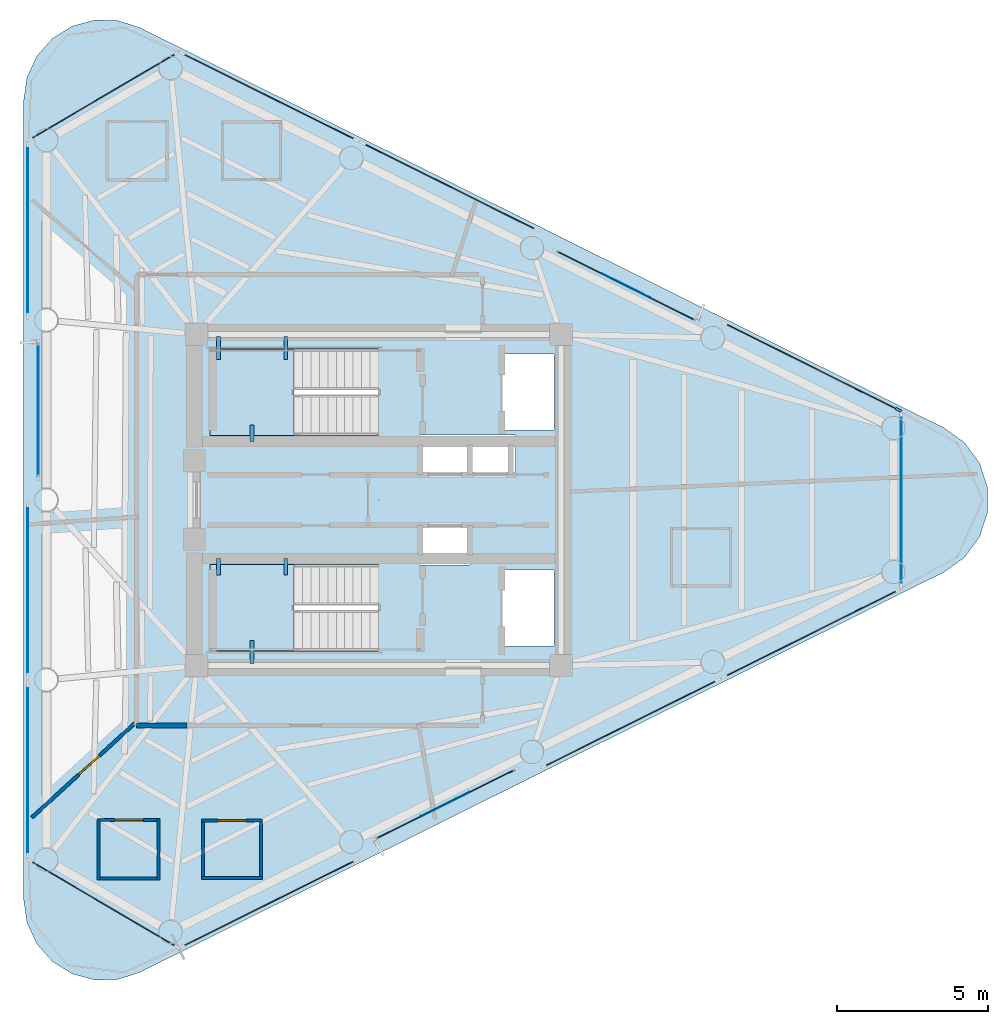
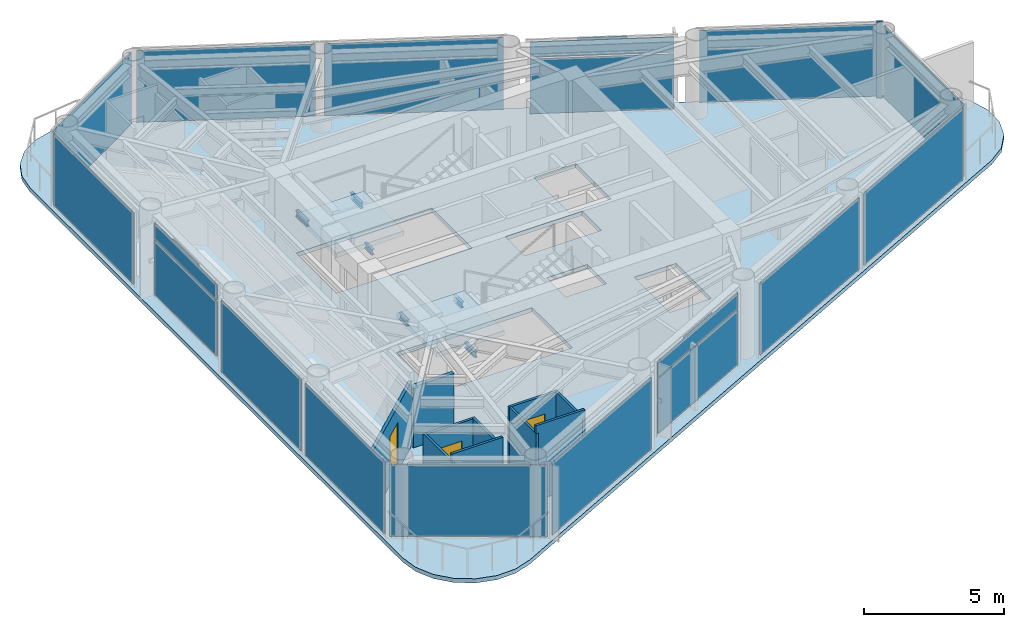
# One storey, part 4 of 10: 21 plates, 10 walls, 6 beams, 3 doors, 3 slabs, 1 member, 3 openings, 17 elements without a shape of their own.
"""IFC4 building model written with IfcOpenShell, lengths in metres."""

import ifcopenshell
import ifcopenshell.guid

model = None  # the IFC model being written
_history = None  # IfcOwnerHistory: only IFC2X3 demands one
_inside = {}  # id of a spatial element -> (the spatial element, [elements in it])
_under = {}  # id of a project, library or spatial element -> (it, [spatial elements below it])
_declared = {}  # id of a project -> (the project, [libraries it declares])
_typed = {}  # id of a type object -> (the type object, [elements of that type])
_made_of = {}  # id of a material, layer set ... -> (it, [elements and type objects made of it])


def new_model(schema):
    """Start an empty IFC model of exactly this schema.

    Asked for "IFC4X3", IfcOpenShell would pick the latest addendum, in which some entities
    have other attributes; the version numbers below select the first issue.
    IFC2X3 requires an IfcOwnerHistory on every rooted entity: one is made here for all.
    """
    global model, _history
    if schema == "IFC4X3":
        model = ifcopenshell.file(schema_version=(4, 3, 0, 0))
    else:
        model = ifcopenshell.file(schema=schema)
    _inside.clear()
    _under.clear()
    _declared.clear()
    _typed.clear()
    _made_of.clear()
    _history = None
    if model.schema == "IFC2X3":
        org = make("IfcOrganization", Name="unknown")
        user = make(
            "IfcPersonAndOrganization",
            ThePerson=make("IfcPerson", FamilyName="unknown"),
            TheOrganization=org,
        )
        app = make(
            "IfcApplication",
            ApplicationDeveloper=org,
            Version="unknown",
            ApplicationFullName="unknown",
            ApplicationIdentifier="unknown",
        )
        _history = make(
            "IfcOwnerHistory",
            OwningUser=user,
            OwningApplication=app,
            ChangeAction="ADDED",
            CreationDate=0,
        )
    return model


def make(cls, **values):
    """One entity of the class cls with the attributes given. An attribute that is None is left unset."""
    return model.create_entity(
        cls, **{name: value for name, value in values.items() if value is not None}
    )


def rooted(cls, **values):
    """An entity with a GlobalId (a new one), such as an element, a storey or a relation."""
    return make(cls, GlobalId=ifcopenshell.guid.new(), OwnerHistory=_history, **values)


def si_unit(unit_type, name, prefix=None):
    """IfcSIUnit, for example si_unit("LENGTHUNIT", "METRE", prefix="MILLI")."""
    return make("IfcSIUnit", UnitType=unit_type, Prefix=prefix, Name=name)


def assignment(units):
    """IfcUnitAssignment: the units of a project."""
    return None if units is None else make("IfcUnitAssignment", Units=units)


def point(xyz):
    """IfcCartesianPoint."""
    return None if xyz is None else make("IfcCartesianPoint", Coordinates=xyz)


def direction(xyz):
    """IfcDirection."""
    return None if xyz is None else make("IfcDirection", DirectionRatios=xyz)


def frame(location, z_axis=None, x_axis=None):
    """IfcAxis2Placement3D, a coordinate frame: its origin and axes. An axis left out is left unset."""
    return make(
        "IfcAxis2Placement3D",
        Location=point(location),
        Axis=direction(z_axis),
        RefDirection=direction(x_axis),
    )


def frame_2d(location, x_axis=None):
    """IfcAxis2Placement2D, a coordinate frame in the plane: its origin and x axis."""
    return make(
        "IfcAxis2Placement2D", Location=point(location), RefDirection=direction(x_axis)
    )


def origin():
    """The frame at (0, 0, 0) with its axes left unset."""
    return frame((0.0, 0.0, 0.0))


def origin_2d():
    """The frame at (0, 0) in the plane with its x axis left unset."""
    return frame_2d((0.0, 0.0))


def place(relative_to, where):
    """IfcLocalPlacement: puts the frame where relative to a parent placement (None: the world)."""
    return make(
        "IfcLocalPlacement", PlacementRelTo=relative_to, RelativePlacement=where
    )


def context(
    kind, dimensions, precision=None, world=None, true_north=None, identifier=None
):
    """IfcGeometricRepresentationContext, for example the 3D "Model" context."""
    return make(
        "IfcGeometricRepresentationContext",
        ContextIdentifier=identifier,
        ContextType=kind,
        CoordinateSpaceDimension=dimensions,
        Precision=precision,
        WorldCoordinateSystem=world,
        TrueNorth=true_north,
    )


def subcontext(parent, identifier, kind, view, scale=None):
    """IfcGeometricRepresentationSubContext, for example "Body" below "Model"."""
    return make(
        "IfcGeometricRepresentationSubContext",
        ContextIdentifier=identifier,
        ContextType=kind,
        ParentContext=parent,
        TargetScale=scale,
        TargetView=view,
    )


def project(units=None, contexts=None):
    """IfcProject with its units and contexts."""
    return rooted(
        "IfcProject",
        Name="project",
        RepresentationContexts=contexts,
        UnitsInContext=assignment(units),
    )


def spatial(cls, under=None, at=None, **own):
    """A site, building, storey or space (cls), placed at a placement, below another one or the project."""
    s = rooted(cls, ObjectPlacement=at, **own)
    if under is not None:
        _under.setdefault(under.id(), (under, []))[1].append(s)
    return s


def polyline(points):
    """IfcPolyline through the points."""
    return make("IfcPolyline", Points=[point(p) for p in points])


def profile(cls, at=None, kind="AREA", **sizes):
    """A parametric profile (cls). Its sizes go by their IFC names, for example OverallWidth=200.0."""
    return make(cls, ProfileType=kind, Position=at, **sizes)


def rectangle(**sizes):
    """IfcRectangleProfileDef."""
    return profile("IfcRectangleProfileDef", **sizes)


def i_section(**sizes):
    """IfcIShapeProfileDef."""
    return profile("IfcIShapeProfileDef", **sizes)


def outline(outer, holes=None, kind="AREA"):
    """IfcArbitraryClosedProfileDef: a profile drawn as a closed curve; with holes, ...WithVoids."""
    if holes is None:
        return make("IfcArbitraryClosedProfileDef", ProfileType=kind, OuterCurve=outer)
    return make(
        "IfcArbitraryProfileDefWithVoids",
        ProfileType=kind,
        OuterCurve=outer,
        InnerCurves=holes,
    )


def extrude(swept, where, along, depth):
    """IfcExtrudedAreaSolid: the profile swept, set in the frame where, extruded along a direction by depth."""
    return make(
        "IfcExtrudedAreaSolid",
        SweptArea=swept,
        Position=where,
        ExtrudedDirection=direction(along),
        Depth=depth,
    )


def shape(context_of_items, identifier, shape_type, items):
    """IfcShapeRepresentation: the items that make up one representation, for example the "Body"."""
    return make(
        "IfcShapeRepresentation",
        ContextOfItems=context_of_items,
        RepresentationIdentifier=identifier,
        RepresentationType=shape_type,
        Items=items,
    )


def source(mapping_origin, context_of_items, identifier, shape_type, items):
    """IfcRepresentationMap: a shape defined once, which mapped items show again and again."""
    return make(
        "IfcRepresentationMap",
        MappingOrigin=mapping_origin,
        MappedRepresentation=shape(context_of_items, identifier, shape_type, items),
    )


def transform(
    local_origin,
    x_axis=None,
    y_axis=None,
    z_axis=None,
    scale=None,
    scale2=None,
    scale3=None,
    uniform=True,
):
    """IfcCartesianTransformationOperator3D, or its non-uniform kind. x_axis, y_axis, z_axis: its Axis1, 2, 3."""
    if uniform:
        return make(
            "IfcCartesianTransformationOperator3D",
            Axis1=direction(x_axis),
            Axis2=direction(y_axis),
            LocalOrigin=point(local_origin),
            Scale=scale,
            Axis3=direction(z_axis),
        )
    return make(
        "IfcCartesianTransformationOperator3DnonUniform",
        Axis1=direction(x_axis),
        Axis2=direction(y_axis),
        LocalOrigin=point(local_origin),
        Scale=scale,
        Axis3=direction(z_axis),
        Scale2=scale2,
        Scale3=scale3,
    )


def mapped(mapping_source, mapping_target):
    """IfcMappedItem: shows the shape of a source again, moved by a transform."""
    return make(
        "IfcMappedItem", MappingSource=mapping_source, MappingTarget=mapping_target
    )


def material(Name=None, Category=None):
    """IfcMaterial."""
    return make("IfcMaterial", Name=Name, Category=Category)


def layer(
    of_material, thickness, ventilated=None, Name=None, Category=None, Priority=None
):
    """IfcMaterialLayer: one layer of a wall or slab, of a material (None: an air gap)."""
    return make(
        "IfcMaterialLayer",
        Material=of_material,
        LayerThickness=thickness,
        IsVentilated=ventilated,
        Name=Name,
        Category=Category,
        Priority=Priority,
    )


def layer_set(layers, Name=None):
    """IfcMaterialLayerSet."""
    return make("IfcMaterialLayerSet", MaterialLayers=layers, LayerSetName=Name)


def material_profile(
    of_material, cross_section, Name=None, Category=None, Priority=None
):
    """IfcMaterialProfile: a cross section and its material."""
    return make(
        "IfcMaterialProfile",
        Name=Name,
        Material=of_material,
        Profile=cross_section,
        Priority=Priority,
        Category=Category,
    )


def profile_set(profiles, Name=None, composite=None):
    """IfcMaterialProfileSet."""
    return make(
        "IfcMaterialProfileSet",
        Name=Name,
        MaterialProfiles=profiles,
        CompositeProfile=composite,
    )


def made_of(thing, what):
    """Note that an element or type object is made of a material, layer set ...; save() writes the relation."""
    if what is not None:
        _made_of.setdefault(what.id(), (what, []))[1].append(thing)
    return thing


def type_object(cls, material=None, **own):
    """A type object (cls), such as IfcWallType, which elements share."""
    return made_of(rooted(cls, **own), material)


def element(
    cls,
    number,
    at=None,
    inside=None,
    cuts=None,
    type_object=None,
    material=None,
    context=None,
    identifier="Body",
    shape_type=None,
    held_by="IfcProductDefinitionShape",
    body=None,
    shapes=None,
    **own,
):
    """One element of the class cls, such as IfcWall. Its Tag is "e" and its number.

    at: its placement. inside: the storey or other place that contains it. cuts: it is an
    opening in that element (IfcRelVoidsElement). A single representation is given by context,
    identifier, shape_type and body (its items); several are given by shapes. held_by: the class
    of the entity that holds the representations. save() writes the other relations.
    """
    e = rooted(cls, Tag="e%d" % number, ObjectPlacement=at, **own)
    if body is not None:
        shapes = [shape(context, identifier, shape_type, body)]
    if shapes is not None:
        e.Representation = make(held_by, Representations=shapes)
    if inside is not None:
        _inside.setdefault(inside.id(), (inside, []))[1].append(e)
    if cuts is not None:
        rooted(
            "IfcRelVoidsElement", RelatingBuildingElement=cuts, RelatedOpeningElement=e
        )
    if type_object is not None:
        _typed.setdefault(type_object.id(), (type_object, []))[1].append(e)
    return made_of(e, material)


def fill(opening, filler):
    """IfcRelFillsElement: the door or window that sits in an opening."""
    return rooted(
        "IfcRelFillsElement",
        RelatingOpeningElement=opening,
        RelatedBuildingElement=filler,
    )


def aggregate(whole, parts):
    """IfcRelAggregates: a whole, such as a stair, and the parts it consists of."""
    return rooted("IfcRelAggregates", RelatingObject=whole, RelatedObjects=parts)


def save(model, path):
    """Write the relations noted so far, then the file.

    IfcRelAggregates (storeys below a building ...), IfcRelContainedInSpatialStructure (elements
    in a storey), IfcRelDefinesByType, IfcRelAssociatesMaterial and IfcRelDeclares: one each for
    every whole, place, type object, material and project.
    """
    for whole, parts in _under.values():
        aggregate(whole, parts)
    for where, things in _inside.values():
        rooted(
            "IfcRelContainedInSpatialStructure",
            RelatedElements=things,
            RelatingStructure=where,
        )
    for kind, things in _typed.values():
        rooted("IfcRelDefinesByType", RelatedObjects=things, RelatingType=kind)
    for what, things in _made_of.values():
        rooted("IfcRelAssociatesMaterial", RelatedObjects=things, RelatingMaterial=what)
    for by, libraries in _declared.values():
        rooted("IfcRelDeclares", RelatingContext=by, RelatedDefinitions=libraries)
    model.write(path)


model = new_model("IFC4")

# Units and contexts
model_context = context("Model", 3, precision=1e-05, world=origin(), true_north=direction((0.0, 1.0)))
body_context = subcontext(model_context, "Body", "Model", "MODEL_VIEW")
ifc_project = project(units=[si_unit("LENGTHUNIT", "METRE"), si_unit("AREAUNIT", "SQUARE_METRE"), si_unit("VOLUMEUNIT", "CUBIC_METRE"), si_unit("PLANEANGLEUNIT", "RADIAN"), si_unit("MASSUNIT", "GRAM", prefix="KILO")], contexts=[model_context])

# Site, building, storey
site_placement = place(None, origin())
site = spatial("IfcSite", under=ifc_project, at=site_placement, CompositionType="ELEMENT")
building_placement = place(site_placement, origin())
building = spatial("IfcBuilding", under=site, at=building_placement, Name="Yunling Apex Tower", CompositionType="ELEMENT")
storey_placement = place(building_placement, frame((0.0, 0.0, 300.199951171875)))
storey = spatial("IfcBuildingStorey", under=building, at=storey_placement, Name="L73", CompositionType="ELEMENT", Elevation=300.199951171875)

# Beams
ifc_material_1 = material(Name="Steel Q355B", Category="steel")
ifc_material_profile_1 = material_profile(ifc_material_1, i_section(OverallWidth=0.125, OverallDepth=0.25, WebThickness=0.006103515625, FlangeThickness=0.009033203125, FilletRadius=0.011962890625, at=origin_2d()))
ifc_profile_set_1 = profile_set([ifc_material_profile_1], Name="Steel Q355B")
beam_type = type_object("IfcBeamType", Name="BL-LNT-1", PredefinedType="LINTEL", material=ifc_profile_set_1)
shared_shape_1 = source(origin(), body_context, "Body", "SweptSolid", [
    extrude(i_section(OverallWidth=0.125, OverallDepth=0.25, WebThickness=0.006103515625, FlangeThickness=0.009033203125, FilletRadius=0.011962890625, at=origin_2d()), origin(), (0.0, 0.0, 1.0), 0.760009765625),
])
for number, where, z_axis, x_axis, name in (
    (1, (-5.320068359375, 5.419921875, 1.405029296875), (0.0, -1.0, 0.0), (1.0, 0.0, 0.0), "L73 ST-1 Landing Bearing Corbel 1-1"),
    (2, (-3.090087890625, 5.419921875, 1.405029296875), (0.0, -1.0, 0.0), (1.0, 0.0, 0.0), "L73 ST-1 Landing Bearing Corbel 1-2"),
    (3, (-4.205078125, -5.419921875, 1.405029296875), (0.0, 1.0, 0.0), (-1.0, 0.0, 0.0), "L73 ST-2 Landing Bearing Corbel 1-3"),
):
    element("IfcBeam", number, at=place(storey_placement, frame(where, z_axis=z_axis, x_axis=x_axis)), inside=storey, type_object=beam_type, Name=name, PredefinedType="LINTEL", context=body_context, shape_type="MappedRepresentation", body=[
        mapped(shared_shape_1, transform((0.0, 0.0, 0.0), scale=1.0)),
    ])
shared_shape_2 = source(origin(), body_context, "Body", "SweptSolid", [
    extrude(i_section(OverallWidth=0.125, OverallDepth=0.25, WebThickness=0.006103515625, FlangeThickness=0.009033203125, FilletRadius=0.011962890625, at=origin_2d()), origin(), (0.0, 0.0, 1.0), 0.550048828125),
])
for number, where, z_axis, x_axis, name in (
    (4, (-4.205078125, 1.93994140625, 1.405029296875), (0.0, 1.0, 0.0), (-1.0, 0.0, 0.0), "L73 ST-1 Landing Bearing Corbel 1-3"),
    (5, (-5.320068359375, -1.93994140625, 1.405029296875), (0.0, -1.0, 0.0), (1.0, 0.0, 0.0), "L73 ST-2 Landing Bearing Corbel 1-1"),
    (6, (-3.090087890625, -1.93994140625, 1.405029296875), (0.0, -1.0, 0.0), (1.0, 0.0, 0.0), "L73 ST-2 Landing Bearing Corbel 1-2"),
):
    element("IfcBeam", number, at=place(storey_placement, frame(where, z_axis=z_axis, x_axis=x_axis)), inside=storey, type_object=beam_type, Name=name, PredefinedType="LINTEL", context=body_context, shape_type="MappedRepresentation", body=[
        mapped(shared_shape_2, transform((0.0, 0.0, 0.0), scale=1.0)),
    ])

# Curtain wall, member
ifc_material_2 = material(Name="Bronze anodised aluminium", Category="aluminium")
ifc_layer_1 = layer(ifc_material_2, 0.219970703125)
ifc_layer_set_1 = layer_set([ifc_layer_1], Name="Bronze anodised aluminium")
curtain_wall_type = type_object("IfcCurtainWallType", Name="CW-SYS-4", PredefinedType="NOTDEFINED", material=ifc_layer_set_1)
curtain_wall_1_placement = place(storey_placement, origin())
curtain_wall_1 = element("IfcCurtainWall", 7, at=curtain_wall_1_placement, inside=storey, type_object=curtain_wall_type, Name="CW-L73-F2-B1", PredefinedType="NOTDEFINED")
ifc_material_profile_2 = material_profile(ifc_material_2, rectangle(XDim=0.080078125, YDim=0.219970703125, at=origin_2d()))
ifc_profile_set_2 = profile_set([ifc_material_profile_2], Name="Bronze anodised aluminium")
member_type = type_object("IfcMemberType", Name="CW-MUL-4", PredefinedType="MULLION", material=ifc_profile_set_2)
shared_shape_3 = source(origin(), body_context, "Body", "SweptSolid", [
    extrude(rectangle(XDim=0.080078125, YDim=0.219970703125, at=origin_2d()), origin(), (0.0, 0.0, 1.0), 3.3701171875),
])
member_placement = place(storey_placement, frame((17.2509765625, 2.990966796875, -0.050048828125), z_axis=(0.0, 0.0, 1.0), x_axis=(-0.445568135078, -0.895248030996, 0.0)))
member = element("IfcMember", 8, at=member_placement, type_object=member_type, Name="CW-SYS-4 mullion 1", PredefinedType="MULLION", context=body_context, shape_type="MappedRepresentation", body=[
    mapped(shared_shape_3, transform((0.0, 0.0, 0.0), scale=1.0)),
])

# Slab
ifc_material_3 = material(Name="Concrete C40", Category="concrete")
ifc_layer_2 = layer(ifc_material_3, 0.155029296875)
ifc_layer_set_2 = layer_set([ifc_layer_2], Name="Concrete C40")
slab_type_1 = type_object("IfcSlabType", Name="SL-FLR-3", PredefinedType="FLOOR", material=ifc_layer_set_2)
slab_1_placement = place(storey_placement, frame((0.0, 0.0, -0.179931640625)))
element("IfcSlab", 9, at=slab_1_placement, inside=storey, type_object=slab_type_1, Name="L73 Composite Tower Floor Slab", PredefinedType="FLOOR", context=body_context, shape_type="SweptSolid", body=[
    extrude(outline(polyline([(-11.787353515625, -13.2724609375), (-11.675048828125, -14.039794921875), (-11.347900390625, -14.742919921875), (-10.833251953125, -15.322998046875), (-10.173828125, -15.731201171875), (-9.42529296875, -15.93359375), (-8.650146484375, -15.913330078125), (-7.9130859375, -15.671875), (18.754150390625, -2.3994140625), (19.442138671875, -1.90771484375), (19.94287109375, -1.226318359375), (20.206298828125, -0.4228515625), (20.206298828125, 0.4228515625), (19.94287109375, 1.226318359375), (19.442138671875, 1.90771484375), (18.754150390625, 2.3994140625), (-7.9130859375, 15.671875), (-8.650146484375, 15.913330078125), (-9.42529296875, 15.93359375), (-10.173828125, 15.731201171875), (-10.833251953125, 15.322998046875), (-11.347900390625, 14.742919921875), (-11.675048828125, 14.039794921875), (-11.787353515625, 13.2724609375), (-11.787353515625, -13.2724609375)]), holes=[polyline([(4.090087890625, 4.840087890625), (5.81005859375, 4.840087890625), (5.81005859375, 2.320068359375), (4.090087890625, 2.320068359375), (4.090087890625, 4.840087890625)]), polyline([(4.090087890625, -4.840087890625), (4.090087890625, -2.320068359375), (5.81005859375, -2.320068359375), (5.81005859375, -4.840087890625), (4.090087890625, -4.840087890625)]), polyline([(4.534912109375, 0.794921875), (1.364990234375, 0.794921875), (1.364990234375, 2.1650390625), (4.534912109375, 2.1650390625), (4.534912109375, 0.794921875)]), polyline([(1.364990234375, -0.794921875), (3.034912109375, -0.794921875), (3.034912109375, -2.1650390625), (1.364990234375, -2.1650390625), (1.364990234375, -0.794921875)]), polyline([(-0.010009765625, -5.010009765625), (-5.60009765625, -5.010009765625), (-5.60009765625, -2.139892578125), (-0.010009765625, -2.139892578125), (-0.010009765625, -5.010009765625)]), polyline([(-0.010009765625, 2.139892578125), (-5.60009765625, 2.139892578125), (-5.60009765625, 5.010009765625), (-0.010009765625, 5.010009765625), (-0.010009765625, 2.139892578125)])]), origin(), (0.0, 0.0, 1.0), 0.179931640625),
])

# Stair, slab
stair_type = type_object("IfcStairType", Name="ST-TWR-3", PredefinedType="HALF_TURN_STAIR", material=ifc_material_3)
stair_1_placement = place(storey_placement, origin())
stair_1 = element("IfcStair", 10, at=stair_1_placement, inside=storey, type_object=stair_type, Name="L73 North Core Smokeproof Exit Stair ST-1", PredefinedType="HALF_TURN_STAIR")
ifc_layer_3 = layer(ifc_material_3, 0.195068359375)
ifc_layer_set_3 = layer_set([ifc_layer_3], Name="Concrete C40")
slab_type_2 = type_object("IfcSlabType", Name="SL-LND-1", PredefinedType="LANDING", material=ifc_layer_set_3)
slab_2_placement = place(storey_placement, frame((0.0, 0.0, 1.530029296875)))
slab_2 = element("IfcSlab", 11, at=slab_2_placement, type_object=slab_type_2, Name="ST-1 landing 1", PredefinedType="LANDING", context=body_context, shape_type="SweptSolid", body=[
    extrude(outline(polyline([(-2.81005859375, 5.010009765625), (-5.60009765625, 5.010009765625), (-5.60009765625, 2.139892578125), (-2.81005859375, 2.139892578125), (-2.81005859375, 5.010009765625)])), origin(), (0.0, 0.0, 1.0), 0.195068359375),
])
aggregate(stair_1, [slab_2])

stair_2_placement = place(storey_placement, origin())
stair_2 = element("IfcStair", 12, at=stair_2_placement, inside=storey, type_object=stair_type, Name="L73 South Core Smokeproof Exit Stair ST-2", PredefinedType="HALF_TURN_STAIR")
slab_3_placement = place(storey_placement, frame((0.0, 0.0, 1.530029296875)))
slab_3 = element("IfcSlab", 13, at=slab_3_placement, type_object=slab_type_2, Name="ST-2 landing 1", PredefinedType="LANDING", context=body_context, shape_type="SweptSolid", body=[
    extrude(outline(polyline([(-2.81005859375, -2.139892578125), (-5.60009765625, -2.139892578125), (-5.60009765625, -5.010009765625), (-2.81005859375, -5.010009765625), (-2.81005859375, -2.139892578125)])), origin(), (0.0, 0.0, 1.0), 0.195068359375),
])
aggregate(stair_2, [slab_3])

# Plates
ifc_layer_4 = layer(ifc_material_2, 0.011962890625)
ifc_layer_set_4 = layer_set([ifc_layer_4], Name="Bronze anodised aluminium")
plate_type_1 = type_object("IfcPlateType", Name="SP-SHT-1", PredefinedType="SHEET", material=ifc_layer_set_4)
shared_shape_4 = source(origin(), body_context, "Body", "SweptSolid", [
    extrude(rectangle(XDim=1.800048828125, YDim=0.02392578125, at=origin_2d()), origin(), (0.0, 0.0, 1.0), 0.43994140625),
])
for number, where, z_axis, x_axis, name in (
    (14, (2.20654296875, -10.09912109375, 2.8701171875), (0.0, 0.0, 1.0), (0.895245648325, 0.445572922377, 0.0), "SP-GRV-L73-F1"),
    (15, (8.206787109375, 7.11279296875, 2.8701171875), (0.0, 0.0, 1.0), (-0.895245648325, 0.445572922377, 0.0), "SP-GRV-L73-F2"),
    (16, (-11.307373046875, 2.986328125, 2.8701171875), (0.0, 0.0, 1.0), (0.0, -1.0, 0.0), "SP-GRV-L73-F3"),
):
    element("IfcPlate", number, at=place(storey_placement, frame(where, z_axis=z_axis, x_axis=x_axis)), inside=storey, type_object=plate_type_1, Name=name, PredefinedType="SHEET", context=body_context, shape_type="MappedRepresentation", body=[
        mapped(shared_shape_4, transform((0.0, 0.0, 0.0), scale=1.0)),
    ])

# Curtain wall, plate
curtain_wall_2_placement = place(storey_placement, origin())
curtain_wall_2 = element("IfcCurtainWall", 17, at=curtain_wall_2_placement, inside=storey, type_object=curtain_wall_type, Name="CW-L73-F1-B1", PredefinedType="NOTDEFINED")
ifc_material_4 = material(Name="Bronze tinted low-E glass", Category="glass")
ifc_layer_5 = layer(ifc_material_4, 0.030029296875)
ifc_layer_set_5 = layer_set([ifc_layer_5], Name="Bronze tinted low-E glass")
plate_type_2 = type_object("IfcPlateType", Name="CW-PNL-4", PredefinedType="CURTAIN_PANEL", material=ifc_layer_set_5)
shared_shape_5 = source(origin(), body_context, "Body", "SweptSolid", [
    extrude(rectangle(XDim=6.398193359375, YDim=0.030029296875, at=origin_2d()), origin(), (0.0, 0.0, 1.0), 3.1259765625),
])
plate_1_placement = place(storey_placement, frame((-3.64208984375, -13.3896484375, 0.072021484375), z_axis=(0.0, 0.0, 1.0), x_axis=(0.895248030996, 0.445568135078, 0.0)))
plate_1 = element("IfcPlate", 18, at=plate_1_placement, type_object=plate_type_2, Name="CW-SYS-4 panel 1.1", PredefinedType="CURTAIN_PANEL", context=body_context, shape_type="MappedRepresentation", body=[
    mapped(shared_shape_5, transform((0.0, 0.0, 0.0), scale=1.0)),
])
aggregate(curtain_wall_2, [plate_1])

curtain_wall_3_placement = place(storey_placement, origin())
curtain_wall_3 = element("IfcCurtainWall", 19, at=curtain_wall_3_placement, inside=storey, type_object=curtain_wall_type, Name="CW-L73-F1-B3", PredefinedType="NOTDEFINED")
plate_2_placement = place(storey_placement, frame((8.358154296875, -7.4169921875, 0.072021484375), z_axis=(0.0, 0.0, 1.0), x_axis=(0.895241933715, 0.445580385698, 0.0)))
plate_2 = element("IfcPlate", 20, at=plate_2_placement, type_object=plate_type_2, Name="CW-SYS-4 panel 1.1", PredefinedType="CURTAIN_PANEL", context=body_context, shape_type="MappedRepresentation", body=[
    mapped(shared_shape_5, transform((0.0, 0.0, 0.0), scale=1.0)),
])
aggregate(curtain_wall_3, [plate_2])

curtain_wall_4_placement = place(storey_placement, origin())
curtain_wall_4 = element("IfcCurtainWall", 21, at=curtain_wall_4_placement, inside=storey, type_object=curtain_wall_type, Name="CW-L73-F1-B4", PredefinedType="NOTDEFINED")
plate_3_placement = place(storey_placement, frame((14.358154296875, -4.4306640625, 0.072021484375), z_axis=(0.0, 0.0, 1.0), x_axis=(0.895248030996, 0.445568135078, 0.0)))
plate_3 = element("IfcPlate", 22, at=plate_3_placement, type_object=plate_type_2, Name="CW-SYS-4 panel 1.1", PredefinedType="CURTAIN_PANEL", context=body_context, shape_type="MappedRepresentation", body=[
    mapped(shared_shape_5, transform((0.0, 0.0, 0.0), scale=1.0)),
])
aggregate(curtain_wall_4, [plate_3])

# Plate
plate_4_placement = place(storey_placement, frame((14.358154296875, 4.4306640625, 0.072021484375), z_axis=(0.0, 0.0, 1.0), x_axis=(-0.895248030996, 0.445568135078, 0.0)))
plate_4 = element("IfcPlate", 23, at=plate_4_placement, type_object=plate_type_2, Name="CW-SYS-4 panel 1.1", PredefinedType="CURTAIN_PANEL", context=body_context, shape_type="MappedRepresentation", body=[
    mapped(shared_shape_5, transform((0.0, 0.0, 0.0), scale=1.0)),
])

aggregate(curtain_wall_1, [member, plate_4])

# Curtain wall, plate
curtain_wall_5_placement = place(storey_placement, origin())
curtain_wall_5 = element("IfcCurtainWall", 24, at=curtain_wall_5_placement, inside=storey, type_object=curtain_wall_type, Name="CW-L73-F2-B3", PredefinedType="NOTDEFINED")
plate_5_placement = place(storey_placement, frame((2.35791015625, 10.4033203125, 0.072021484375), z_axis=(0.0, 0.0, 1.0), x_axis=(-0.895251065549, 0.445562037917, 0.0)))
plate_5 = element("IfcPlate", 25, at=plate_5_placement, type_object=plate_type_2, Name="CW-SYS-4 panel 1.1", PredefinedType="CURTAIN_PANEL", context=body_context, shape_type="MappedRepresentation", body=[
    mapped(shared_shape_5, transform((0.0, 0.0, 0.0), scale=1.0)),
])
aggregate(curtain_wall_5, [plate_5])

curtain_wall_6_placement = place(storey_placement, origin())
curtain_wall_6 = element("IfcCurtainWall", 26, at=curtain_wall_6_placement, inside=storey, type_object=curtain_wall_type, Name="CW-L73-F2-B4", PredefinedType="NOTDEFINED")
plate_6_placement = place(storey_placement, frame((-3.64208984375, 13.3896484375, 0.072021484375), z_axis=(0.0, 0.0, 1.0), x_axis=(-0.895248030996, 0.445568135078, 0.0)))
plate_6 = element("IfcPlate", 27, at=plate_6_placement, type_object=plate_type_2, Name="CW-SYS-4 panel 1.1", PredefinedType="CURTAIN_PANEL", context=body_context, shape_type="MappedRepresentation", body=[
    mapped(shared_shape_5, transform((0.0, 0.0, 0.0), scale=1.0)),
])
aggregate(curtain_wall_6, [plate_6])

curtain_wall_7_placement = place(storey_placement, origin())
curtain_wall_7 = element("IfcCurtainWall", 28, at=curtain_wall_7_placement, inside=storey, type_object=curtain_wall_type, Name="CW-L73-F1-B2", PredefinedType="NOTDEFINED")
shared_shape_6 = source(origin(), body_context, "Body", "SweptSolid", [
    extrude(rectangle(XDim=5.158203125, YDim=0.030029296875, at=origin_2d()), origin(), (0.0, 0.0, 1.0), 2.381103515625),
])
plate_7_placement = place(storey_placement, frame((2.20654296875, -10.09912109375, 0.072265625), z_axis=(0.0, 0.0, 1.0), x_axis=(0.895251720611, 0.445560721723, 0.0)))
plate_7 = element("IfcPlate", 29, at=plate_7_placement, type_object=plate_type_2, Name="CW-SYS-4 panel 1.1", PredefinedType="CURTAIN_PANEL", context=body_context, shape_type="MappedRepresentation", body=[
    mapped(shared_shape_6, transform((0.0, 0.0, 0.0), scale=1.0)),
])

curtain_wall_8_placement = place(storey_placement, origin())
curtain_wall_8 = element("IfcCurtainWall", 30, at=curtain_wall_8_placement, inside=storey, type_object=curtain_wall_type, Name="CW-L73-F2-B2", PredefinedType="NOTDEFINED")
plate_8_placement = place(storey_placement, frame((8.206787109375, 7.11279296875, 0.072265625), z_axis=(0.0, 0.0, 1.0), x_axis=(-0.895240453185, 0.445583360305, 0.0)))
plate_8 = element("IfcPlate", 31, at=plate_8_placement, type_object=plate_type_2, Name="CW-SYS-4 panel 1.1", PredefinedType="CURTAIN_PANEL", context=body_context, shape_type="MappedRepresentation", body=[
    mapped(shared_shape_6, transform((0.0, 0.0, 0.0), scale=1.0)),
])

# Plate
shared_shape_7 = source(origin(), body_context, "Body", "SweptSolid", [
    extrude(rectangle(XDim=5.158203125, YDim=0.030029296875, at=origin_2d()), origin(), (0.0, 0.0, 1.0), 0.680908203125),
])
plate_9_placement = place(storey_placement, frame((2.20654296875, -10.09912109375, 2.51708984375), z_axis=(0.0, 0.0, 1.0), x_axis=(0.895251720611, 0.445560721723, 0.0)))
plate_9 = element("IfcPlate", 32, at=plate_9_placement, type_object=plate_type_2, Name="CW-SYS-4 panel 1.2", PredefinedType="CURTAIN_PANEL", context=body_context, shape_type="MappedRepresentation", body=[
    mapped(shared_shape_7, transform((0.0, 0.0, 0.0), scale=1.0)),
])

aggregate(curtain_wall_7, [plate_7, plate_9])

plate_10_placement = place(storey_placement, frame((8.206787109375, 7.11279296875, 2.51708984375), z_axis=(0.0, 0.0, 1.0), x_axis=(-0.895240453185, 0.445583360305, 0.0)))
plate_10 = element("IfcPlate", 33, at=plate_10_placement, type_object=plate_type_2, Name="CW-SYS-4 panel 1.2", PredefinedType="CURTAIN_PANEL", context=body_context, shape_type="MappedRepresentation", body=[
    mapped(shared_shape_7, transform((0.0, 0.0, 0.0), scale=1.0)),
])

aggregate(curtain_wall_8, [plate_8, plate_10])

# Curtain wall, plate
curtain_wall_9_placement = place(storey_placement, origin())
curtain_wall_9 = element("IfcCurtainWall", 34, at=curtain_wall_9_placement, inside=storey, type_object=curtain_wall_type, Name="CW-L73-CRN1", PredefinedType="NOTDEFINED")
shared_shape_8 = source(origin(), body_context, "Body", "SweptSolid", [
    extrude(rectangle(XDim=5.6953125, YDim=0.030029296875, at=origin_2d()), origin(), (0.0, 0.0, 1.0), 3.1259765625),
])
plate_11_placement = place(storey_placement, frame((17.349365234375, 0.0, 0.072021484375), z_axis=(0.0, 0.0, 1.0), x_axis=(0.0, 1.0, 0.0)))
plate_11 = element("IfcPlate", 35, at=plate_11_placement, type_object=plate_type_2, Name="CW-SYS-4 panel 1.1", PredefinedType="CURTAIN_PANEL", context=body_context, shape_type="MappedRepresentation", body=[
    mapped(shared_shape_8, transform((0.0, 0.0, 0.0), scale=1.0)),
])
aggregate(curtain_wall_9, [plate_11])

curtain_wall_10_placement = place(storey_placement, origin())
curtain_wall_10 = element("IfcCurtainWall", 36, at=curtain_wall_10_placement, inside=storey, type_object=curtain_wall_type, Name="CW-L73-CRN2", PredefinedType="NOTDEFINED")
shared_shape_9 = source(origin(), body_context, "Body", "SweptSolid", [
    extrude(rectangle(XDim=5.62548828125, YDim=0.030029296875, at=origin_2d()), origin(), (0.0, 0.0, 1.0), 3.1259765625),
])
plate_12_placement = place(storey_placement, frame((-9.13916015625, 13.405029296875, 0.072021484375), z_axis=(0.0, 0.0, 1.0), x_axis=(-0.862499991399, -0.506057076658, 0.0)))
plate_12 = element("IfcPlate", 37, at=plate_12_placement, type_object=plate_type_2, Name="CW-SYS-4 panel 1.1", PredefinedType="CURTAIN_PANEL", context=body_context, shape_type="MappedRepresentation", body=[
    mapped(shared_shape_9, transform((0.0, 0.0, 0.0), scale=1.0)),
])
aggregate(curtain_wall_10, [plate_12])

curtain_wall_11_placement = place(storey_placement, origin())
curtain_wall_11 = element("IfcCurtainWall", 38, at=curtain_wall_11_placement, inside=storey, type_object=curtain_wall_type, Name="CW-L73-CRN3", PredefinedType="NOTDEFINED")
plate_13_placement = place(storey_placement, frame((-9.13916015625, -13.405029296875, 0.072021484375), z_axis=(0.0, 0.0, 1.0), x_axis=(0.862492426173, -0.506069970256, 0.0)))
plate_13 = element("IfcPlate", 39, at=plate_13_placement, type_object=plate_type_2, Name="CW-SYS-4 panel 1.1", PredefinedType="CURTAIN_PANEL", context=body_context, shape_type="MappedRepresentation", body=[
    mapped(shared_shape_9, transform((0.0, 0.0, 0.0), scale=1.0)),
])
aggregate(curtain_wall_11, [plate_13])

curtain_wall_12_placement = place(storey_placement, origin())
curtain_wall_12 = element("IfcCurtainWall", 40, at=curtain_wall_12_placement, inside=storey, type_object=curtain_wall_type, Name="CW-L73-F3-B1", PredefinedType="NOTDEFINED")
shared_shape_10 = source(origin(), body_context, "Body", "SweptSolid", [
    extrude(rectangle(XDim=5.668701171875, YDim=0.030029296875, at=origin_2d()), origin(), (0.0, 0.0, 1.0), 3.1259765625),
])
plate_14_placement = place(storey_placement, frame((-11.647216796875, 8.958984375, 0.072021484375), z_axis=(0.0, 0.0, 1.0), x_axis=(0.0, -1.0, 0.0)))
plate_14 = element("IfcPlate", 41, at=plate_14_placement, type_object=plate_type_2, Name="CW-SYS-4 panel 1.1", PredefinedType="CURTAIN_PANEL", context=body_context, shape_type="MappedRepresentation", body=[
    mapped(shared_shape_10, transform((0.0, 0.0, 0.0), scale=1.0)),
])
aggregate(curtain_wall_12, [plate_14])

curtain_wall_13_placement = place(storey_placement, origin())
curtain_wall_13 = element("IfcCurtainWall", 42, at=curtain_wall_13_placement, inside=storey, type_object=curtain_wall_type, Name="CW-L73-F3-B3", PredefinedType="NOTDEFINED")
plate_15_placement = place(storey_placement, frame((-11.647216796875, -2.986328125, 0.072021484375), z_axis=(0.0, 0.0, 1.0), x_axis=(0.0, -1.0, 0.0)))
plate_15 = element("IfcPlate", 43, at=plate_15_placement, type_object=plate_type_2, Name="CW-SYS-4 panel 1.1", PredefinedType="CURTAIN_PANEL", context=body_context, shape_type="MappedRepresentation", body=[
    mapped(shared_shape_10, transform((0.0, 0.0, 0.0), scale=1.0)),
])
aggregate(curtain_wall_13, [plate_15])

curtain_wall_14_placement = place(storey_placement, origin())
curtain_wall_14 = element("IfcCurtainWall", 44, at=curtain_wall_14_placement, inside=storey, type_object=curtain_wall_type, Name="CW-L73-F3-B4", PredefinedType="NOTDEFINED")
plate_16_placement = place(storey_placement, frame((-11.647216796875, -8.958984375, 0.072021484375), z_axis=(0.0, 0.0, 1.0), x_axis=(0.0, -1.0, 0.0)))
plate_16 = element("IfcPlate", 45, at=plate_16_placement, type_object=plate_type_2, Name="CW-SYS-4 panel 1.1", PredefinedType="CURTAIN_PANEL", context=body_context, shape_type="MappedRepresentation", body=[
    mapped(shared_shape_10, transform((0.0, 0.0, 0.0), scale=1.0)),
])
aggregate(curtain_wall_14, [plate_16])

# Curtain wall, plates
curtain_wall_15_placement = place(storey_placement, origin())
curtain_wall_15 = element("IfcCurtainWall", 46, at=curtain_wall_15_placement, inside=storey, type_object=curtain_wall_type, Name="CW-L73-F3-B2", PredefinedType="NOTDEFINED")
shared_shape_11 = source(origin(), body_context, "Body", "SweptSolid", [
    extrude(rectangle(XDim=4.4287109375, YDim=0.030029296875, at=origin_2d()), origin(), (0.0, 0.0, 1.0), 2.381103515625),
])
plate_17_placement = place(storey_placement, frame((-11.307373046875, 2.986328125, 0.072265625), z_axis=(0.0, 0.0, 1.0), x_axis=(0.0, -1.0, 0.0)))
plate_17 = element("IfcPlate", 47, at=plate_17_placement, type_object=plate_type_2, Name="CW-SYS-4 panel 1.1", PredefinedType="CURTAIN_PANEL", context=body_context, shape_type="MappedRepresentation", body=[
    mapped(shared_shape_11, transform((0.0, 0.0, 0.0), scale=1.0)),
])
shared_shape_12 = source(origin(), body_context, "Body", "SweptSolid", [
    extrude(rectangle(XDim=4.4287109375, YDim=0.030029296875, at=origin_2d()), origin(), (0.0, 0.0, 1.0), 0.680908203125),
])
plate_18_placement = place(storey_placement, frame((-11.307373046875, 2.986328125, 2.51708984375), z_axis=(0.0, 0.0, 1.0), x_axis=(0.0, -1.0, 0.0)))
plate_18 = element("IfcPlate", 48, at=plate_18_placement, type_object=plate_type_2, Name="CW-SYS-4 panel 1.2", PredefinedType="CURTAIN_PANEL", context=body_context, shape_type="MappedRepresentation", body=[
    mapped(shared_shape_12, transform((0.0, 0.0, 0.0), scale=1.0)),
])
aggregate(curtain_wall_15, [plate_17, plate_18])

# Wall
ifc_material_5 = material(Name="Gypsum board acoustic partition")
ifc_layer_6 = layer(ifc_material_5, 0.159912109375)
ifc_layer_set_6 = layer_set([ifc_layer_6], Name="Gypsum board acoustic partition")
wall_type_1 = type_object("IfcWallType", Name="WL-PRT-1", PredefinedType="PARTITIONING", material=ifc_layer_set_6)
wall_1_placement = place(storey_placement, frame((-6.360107421875, -7.489990234375, 0.0), z_axis=(0.0, 0.0, 1.0), x_axis=(-1.0, 0.0, 0.0)))
element("IfcWall", 49, at=wall_1_placement, inside=storey, type_object=wall_type_1, Name="WL-CORR-L73-07", PredefinedType="PARTITIONING", context=body_context, shape_type="SweptSolid", body=[
    extrude(rectangle(XDim=1.679931640625, YDim=0.159912109375, at=frame_2d((0.83984375, 0.0))), origin(), (0.0, 0.0, 1.0), 2.655029296875),
])

# Wall, opening, door
ifc_layer_7 = layer(ifc_material_5, 0.1201171875)
ifc_layer_set_7 = layer_set([ifc_layer_7], Name="Gypsum board acoustic partition")
wall_type_2 = type_object("IfcWallType", Name="WL-PRT-3", PredefinedType="PARTITIONING", material=ifc_layer_set_7)
wall_2_placement = place(storey_placement, frame((-8.070068359375, -7.38623046875, 0.0), z_axis=(0.0, 0.0, 1.0), x_axis=(-0.737657036201, -0.675175604523, 0.0)))
wall_2 = element("IfcWall", 50, at=wall_2_placement, inside=storey, type_object=wall_type_2, Name="WL-BED-L73-1", PredefinedType="PARTITIONING", context=body_context, shape_type="SweptSolid", body=[
    extrude(rectangle(XDim=4.67333984375, YDim=0.1201171875, at=frame_2d((2.336669921875, 0.0))), origin(), (0.0, 0.0, 1.0), 2.81494140625),
])
opening_1_placement = place(wall_2_placement, frame((1.623046875, 0.0, 0.0)))
opening_1 = element("IfcOpeningElement", 51, at=opening_1_placement, cuts=wall_2, Name="Opening DR-RM-1", PredefinedType="OPENING", context=body_context, shape_type="SweptSolid", body=[
    extrude(rectangle(XDim=0.949951171875, YDim=2.10009765625, at=frame_2d((0.47509765625, 1.050048828125))), frame((0.0, 0.070068359375, 0.0), z_axis=(0.0, -1.0, 0.0), x_axis=(1.0, 0.0, 0.0)), (0.0, 0.0, 1.0), 0.14013671875),
])
ifc_material_6 = material(Name="Timber flush leaf", Category="wood")
door_type_1 = type_object("IfcDoorType", Name="DR-RM-1", OperationType="NOTDEFINED", PredefinedType="DOOR", material=ifc_material_6)
door_1_placement = place(opening_1_placement, origin())
door_1 = element("IfcDoor", 52, at=door_1_placement, inside=storey, type_object=door_type_1, Name="L73 Unit 1 Bedroom Door", OperationType="SINGLE_SWING_RIGHT", OverallHeight=2.10009765625, OverallWidth=0.949951171875, PredefinedType="DOOR", context=body_context, shape_type="SweptSolid", body=[
    extrude(rectangle(XDim=0.949951171875, YDim=2.10009765625, at=frame_2d((0.47509765625, 1.050048828125))), frame((0.0, 0.02490234375, 0.0), z_axis=(0.0, -1.0, 0.0), x_axis=(1.0, 0.0, 0.0)), (0.0, 0.0, 1.0), 0.050048828125),
])
fill(opening_1, door_1)

ifc_layer_8 = layer(ifc_material_5, 0.10009765625)
ifc_layer_set_8 = layer_set([ifc_layer_8], Name="Gypsum board acoustic partition")
wall_type_3 = type_object("IfcWallType", Name="WL-PRT-4", PredefinedType="PARTITIONING", material=ifc_layer_set_8)
wall_3_placement = place(storey_placement, frame((-5.885009765625, -10.639892578125, 0.0), z_axis=(0.0, 0.0, 1.0), x_axis=(1.0, 0.0, 0.0)))
wall_3 = element("IfcWall", 53, at=wall_3_placement, inside=storey, type_object=wall_type_3, Name="WL-L73-U1BTHN", PredefinedType="PARTITIONING", context=body_context, shape_type="SweptSolid", body=[
    extrude(rectangle(XDim=2.02001953125, YDim=0.10009765625, at=frame_2d((1.010009765625, 0.0))), origin(), (0.0, 0.0, 1.0), 2.905029296875),
])
opening_2_placement = place(wall_3_placement, frame((0.550048828125, 0.0, 0.0)))
opening_2 = element("IfcOpeningElement", 54, at=opening_2_placement, cuts=wall_3, Name="Opening DR-WC-1", PredefinedType="OPENING", context=body_context, shape_type="SweptSolid", body=[
    extrude(rectangle(XDim=0.919921875, YDim=2.10009765625, at=frame_2d((0.4599609375, 1.050048828125))), frame((0.0, 0.06005859375, 0.0), z_axis=(0.0, -1.0, 0.0), x_axis=(1.0, 0.0, 0.0)), (0.0, 0.0, 1.0), 0.1201171875),
])
ifc_material_7 = material(Name="Timber moisture-resistant leaf", Category="wood")
door_type_2 = type_object("IfcDoorType", Name="DR-WC-1", OperationType="NOTDEFINED", PredefinedType="DOOR", material=ifc_material_7)
door_2_placement = place(opening_2_placement, origin())
door_2 = element("IfcDoor", 55, at=door_2_placement, inside=storey, type_object=door_type_2, Name="L73 Unit 1 Bathroom Door", OperationType="SINGLE_SWING_LEFT", OverallHeight=2.10009765625, OverallWidth=0.919921875, PredefinedType="DOOR", context=body_context, shape_type="SweptSolid", body=[
    extrude(rectangle(XDim=0.919921875, YDim=2.10009765625, at=frame_2d((0.4599609375, 1.050048828125))), frame((0.0, 0.02490234375, 0.0), z_axis=(0.0, -1.0, 0.0), x_axis=(1.0, 0.0, 0.0)), (0.0, 0.0, 1.0), 0.050048828125),
])
fill(opening_2, door_2)

# Walls
wall_4_placement = place(storey_placement, frame((-3.864990234375, -12.5400390625, 0.0), z_axis=(0.0, 0.0, 1.0), x_axis=(-1.0, 0.0, 0.0)))
element("IfcWall", 56, at=wall_4_placement, inside=storey, type_object=wall_type_3, Name="WL-L73-U1BTHS", PredefinedType="PARTITIONING", context=body_context, shape_type="SweptSolid", body=[
    extrude(rectangle(XDim=2.02001953125, YDim=0.10009765625, at=frame_2d((1.010009765625, 0.0))), origin(), (0.0, 0.0, 1.0), 3.25),
])
for number, where, z_axis, x_axis, name in (
    (57, (-3.9150390625, -10.590087890625, 0.0), (0.0, 0.0, 1.0), (0.0, -1.0, 0.0), "WL-L73-U1BTHE"),
    (58, (-5.8349609375, -12.590087890625, 0.0), (0.0, 0.0, 1.0), (0.0, 1.0, 0.0), "WL-L73-U1BTHW"),
):
    element("IfcWall", number, at=place(storey_placement, frame(where, z_axis=z_axis, x_axis=x_axis)), inside=storey, type_object=wall_type_3, Name=name, PredefinedType="PARTITIONING", context=body_context, shape_type="SweptSolid", body=[
        extrude(rectangle(XDim=2.0, YDim=0.10009765625, at=frame_2d((1.0, 0.0))), origin(), (0.0, 0.0, 1.0), 2.905029296875),
    ])

# Wall, opening, door
wall_5_placement = place(storey_placement, frame((-9.35888671875, -10.614990234375, 0.0), z_axis=(0.0, 0.0, 1.0), x_axis=(1.0, 0.0, 0.0)))
wall_5 = element("IfcWall", 59, at=wall_5_placement, inside=storey, type_object=wall_type_3, Name="WL-L73-U1KITN", PredefinedType="PARTITIONING", context=body_context, shape_type="SweptSolid", body=[
    extrude(rectangle(XDim=2.099853515625, YDim=0.10009765625, at=frame_2d((1.0498046875, 0.0))), origin(), (0.0, 0.0, 1.0), 2.905029296875),
])
opening_3_placement = place(wall_5_placement, frame((0.590087890625, 0.0, 0.0)))
opening_3 = element("IfcOpeningElement", 60, at=opening_3_placement, cuts=wall_5, Name="Opening DR-RM-1", PredefinedType="OPENING", context=body_context, shape_type="SweptSolid", body=[
    extrude(rectangle(XDim=0.949951171875, YDim=2.10009765625, at=frame_2d((0.47509765625, 1.050048828125))), frame((0.0, 0.06005859375, 0.0), z_axis=(0.0, -1.0, 0.0), x_axis=(1.0, 0.0, 0.0)), (0.0, 0.0, 1.0), 0.1201171875),
])
door_3_placement = place(opening_3_placement, origin())
door_3 = element("IfcDoor", 61, at=door_3_placement, inside=storey, type_object=door_type_1, Name="L73 Unit 1 Kitchen Door", OperationType="SINGLE_SWING_RIGHT", OverallHeight=2.10009765625, OverallWidth=0.949951171875, PredefinedType="DOOR", context=body_context, shape_type="SweptSolid", body=[
    extrude(rectangle(XDim=0.949951171875, YDim=2.10009765625, at=frame_2d((0.47509765625, 1.050048828125))), frame((0.0, 0.02490234375, 0.0), z_axis=(0.0, -1.0, 0.0), x_axis=(1.0, 0.0, 0.0)), (0.0, 0.0, 1.0), 0.050048828125),
])
fill(opening_3, door_3)

# Walls
wall_6_placement = place(storey_placement, frame((-7.259033203125, -12.56494140625, 0.0), z_axis=(0.0, 0.0, 1.0), x_axis=(-1.0, 0.0, 0.0)))
element("IfcWall", 62, at=wall_6_placement, inside=storey, type_object=wall_type_3, Name="WL-L73-U1KITS", PredefinedType="PARTITIONING", context=body_context, shape_type="SweptSolid", body=[
    extrude(rectangle(XDim=2.099853515625, YDim=0.10009765625, at=frame_2d((1.0498046875, 0.0))), origin(), (0.0, 0.0, 1.0), 3.25),
])
for number, where, z_axis, x_axis, name in (
    (63, (-7.30908203125, -10.56494140625, 0.0), (0.0, 0.0, 1.0), (0.0, -1.0, 0.0), "WL-L73-U1KITE"),
    (64, (-9.30908203125, -12.614990234375, 0.0), (0.0, 0.0, 1.0), (0.0, 1.0, 0.0), "WL-L73-U1KITW"),
):
    element("IfcWall", number, at=place(storey_placement, frame(where, z_axis=z_axis, x_axis=x_axis)), inside=storey, type_object=wall_type_3, Name=name, PredefinedType="PARTITIONING", context=body_context, shape_type="SweptSolid", body=[
        extrude(rectangle(XDim=2.050048828125, YDim=0.10009765625, at=frame_2d((1.02490234375, 0.0))), origin(), (0.0, 0.0, 1.0), 2.905029296875),
    ])

save(model, "model.ifc")
